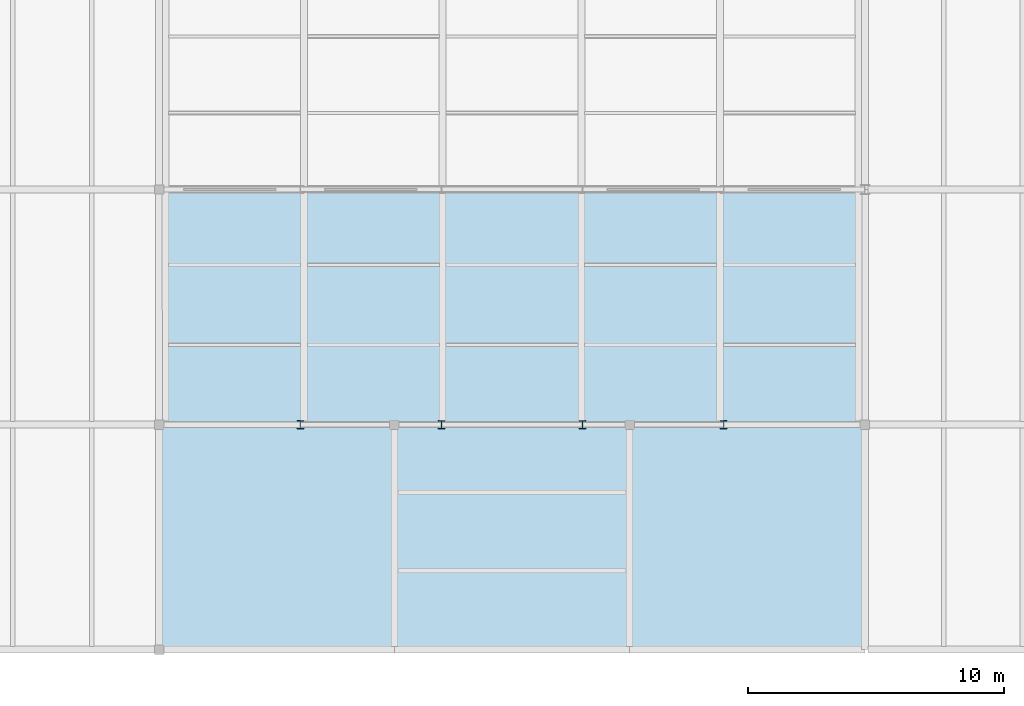
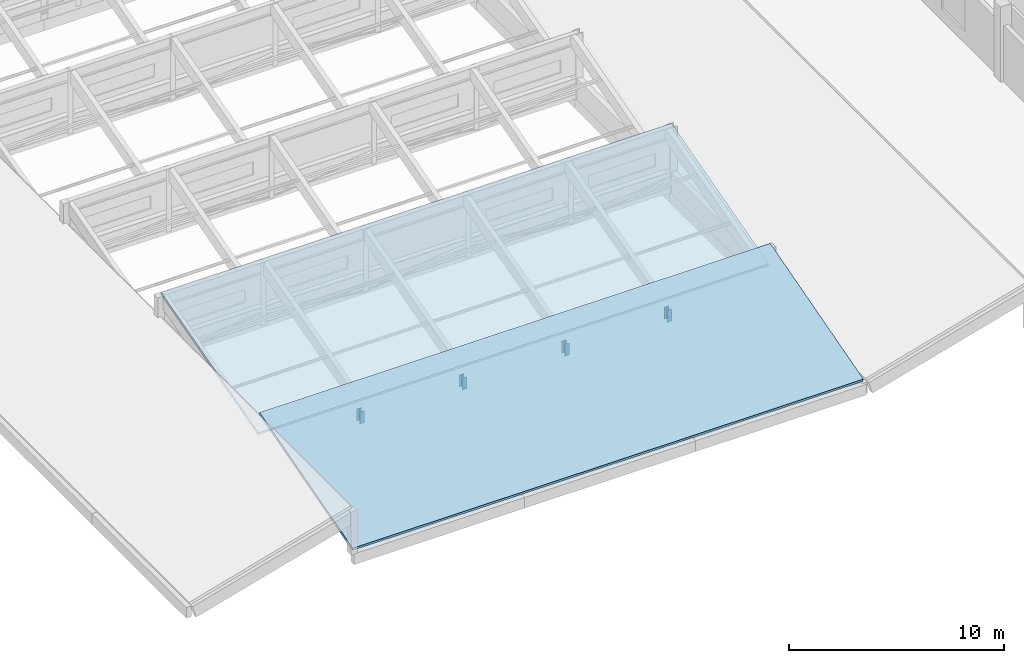
# One storey, part 60 of 77: 4 members, 2 slabs, 2 elements without a shape of their own.
"""IFC4 building model written with IfcOpenShell, lengths in metres."""

from ifc_helpers import new_model, si_unit, direction, frame, origin, origin_2d, place, context, subcontext, project, spatial, polyline, i_section, outline, extrude, material, layer, layer_set, material_profile, profile_set, type_object, element, aggregate, save


model = new_model("IFC4")

# Units and contexts
model_context = context("Model", 3, precision=1e-05, world=origin(), true_north=direction((0.0, 1.0)))
body_context = subcontext(model_context, "Body", "Model", "MODEL_VIEW")
ifc_project = project(units=[si_unit("LENGTHUNIT", "METRE"), si_unit("AREAUNIT", "SQUARE_METRE"), si_unit("VOLUMEUNIT", "CUBIC_METRE"), si_unit("PLANEANGLEUNIT", "RADIAN"), si_unit("MASSUNIT", "GRAM", prefix="KILO")], contexts=[model_context])

# Site, building, storey
site_placement = place(None, origin())
site = spatial("IfcSite", under=ifc_project, at=site_placement, CompositionType="ELEMENT")
building_placement = place(site_placement, origin())
building = spatial("IfcBuilding", under=site, at=building_placement, Name="Meriwether Solvik Hall", CompositionType="ELEMENT")
storey_placement = place(building_placement, frame((0.0, 0.0, 9.89990234375)))
storey = spatial("IfcBuildingStorey", under=building, at=storey_placement, Name="L02", CompositionType="ELEMENT", Elevation=9.89990234375)

# Members
ifc_material_1 = material(Name="Steel A992 Grade 50", Category="steel")
ifc_material_profile = material_profile(ifc_material_1, i_section(OverallWidth=0.25390625, OverallDepth=0.305908203125, WebThickness=0.0087890625, FlangeThickness=0.0146484375, at=origin_2d()), Name="W12X53")
ifc_profile_set = profile_set([ifc_material_profile], Name="Steel A992 Grade 50")
member_type = type_object("IfcMemberType", Name="MEM-CHORD-W12X53", PredefinedType="CHORD", material=ifc_profile_set)
for number, where, z_axis, x_axis, name in (
    (1, (19.52001953125, 14.0, 0.150146484375), (0.0, 0.0, 1.0), (1.0, 0.0, 0.0), "Sanctuary Truss T1 Post 1"),
    (2, (25.0400390625, 14.0, 0.150146484375), (0.0, 0.0, 1.0), (1.0, 0.0, 0.0), "Sanctuary Truss T1 Post 2"),
    (3, (30.56005859375, 14.0, 0.150146484375), (0.0, 0.0, 1.0), (1.0, 0.0, 0.0), "Sanctuary Truss T1 Post 3"),
    (4, (36.080078125, 14.0, 0.150146484375), (0.0, 0.0, 1.0), (1.0, 0.0, 0.0), "Sanctuary Truss T1 Post 4"),
):
    element("IfcMember", number, at=place(storey_placement, frame(where, z_axis=z_axis, x_axis=x_axis)), inside=storey, type_object=member_type, Name=name, PredefinedType="CHORD", context=body_context, shape_type="SweptSolid", body=[
        extrude(i_section(OverallWidth=0.25390625, OverallDepth=0.305908203125, WebThickness=0.0087890625, FlangeThickness=0.0146484375, at=origin_2d()), origin(), (0.0, 0.0, 1.0), 0.68994140625),
    ])

# Roof, slab
ifc_material_2 = material(Name="Cross-Laminated Timber PRG 320 E1", Category="wood")
ifc_layer_1 = layer(ifc_material_2, 0.2451171875)
ifc_layer_set_1 = layer_set([ifc_layer_1], Name="Cross-Laminated Timber PRG 320 E1")
roof_type = type_object("IfcRoofType", Name="ROOF-SHED-CLT", PredefinedType="SHED_ROOF", material=ifc_layer_set_1)
roof_1_placement = place(storey_placement, origin())
roof_1 = element("IfcRoof", 5, at=roof_1_placement, inside=storey, type_object=roof_type, Name="Pitched Mass-Timber Roof w1_south_nar (L02)", PredefinedType="SHED_ROOF")
ifc_material_3 = material(Name="Cross-Laminated Timber PRG 320 E1", Category="wood")
ifc_layer_2 = layer(ifc_material_3, 0.159912109375)
ifc_layer_set_2 = layer_set([ifc_layer_2], Name="Cross-Laminated Timber PRG 320 E1")
slab_type = type_object("IfcSlabType", Name="SLB-ROOF-160", PredefinedType="ROOF", material=ifc_layer_set_2)
slab_1_placement = place(storey_placement, frame((14.054931640625, 5.2548828125, 0.175048828125), z_axis=(0.0, -0.272371102856, 0.962192279292), x_axis=(1.0, 0.0, 0.0)))
slab_1 = element("IfcSlab", 6, at=slab_1_placement, type_object=slab_type, Name="Sloped CLT Roof Deck w1_south_nar (L02)", PredefinedType="ROOF", context=body_context, shape_type="SweptSolid", body=[
    extrude(outline(polyline([(0.0, 0.0), (27.489990234375, 0.0), (27.489990234375, 9.031651712347028), (0.0, 9.031651712347028), (0.0, 0.0)])), origin(), (0.0, 0.0, -1.0), 0.159912109375),
])
aggregate(roof_1, [slab_1])

roof_2_placement = place(storey_placement, origin())
roof_2 = element("IfcRoof", 7, at=roof_2_placement, inside=storey, type_object=roof_type, Name="Sanctuary Sawtooth Northlight Roof 1", PredefinedType="SHED_ROOF")
slab_2_placement = place(storey_placement, frame((14.06005859375, 14.06005859375, 1.400146484375), z_axis=(0.0, -0.265457129057, 0.964122664723), x_axis=(1.0, 0.0, 0.0)))
slab_2 = element("IfcSlab", 8, at=slab_2_placement, type_object=slab_type, Name="Sanctuary Sawtooth CLT Roof Deck 1", PredefinedType="ROOF", context=body_context, shape_type="SweptSolid", body=[
    extrude(outline(polyline([(0.0, 0.0), (27.47998046875, 0.0), (27.47998046875, 9.417716558901697), (0.0, 9.417716558901697), (0.0, 0.0)])), origin(), (0.0, 0.0, -1.0), 0.159912109375),
])
aggregate(roof_2, [slab_2])

save(model, "model.ifc")
